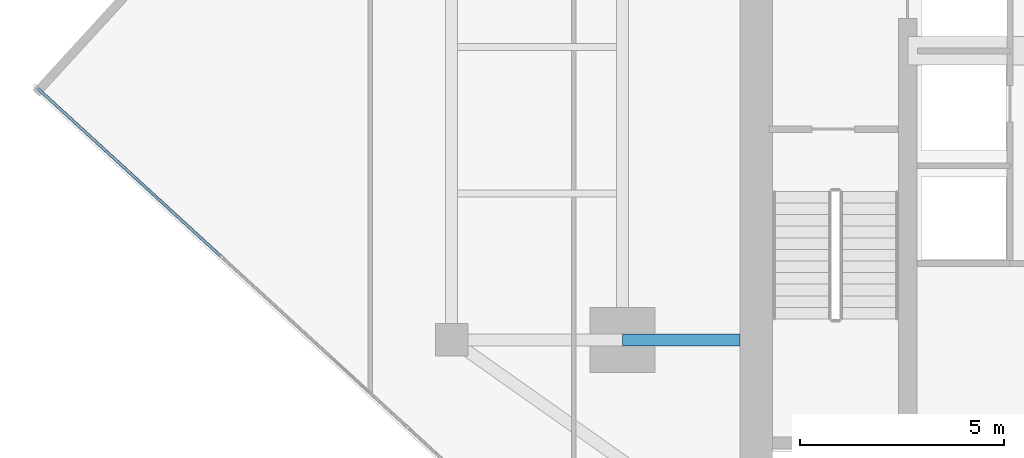
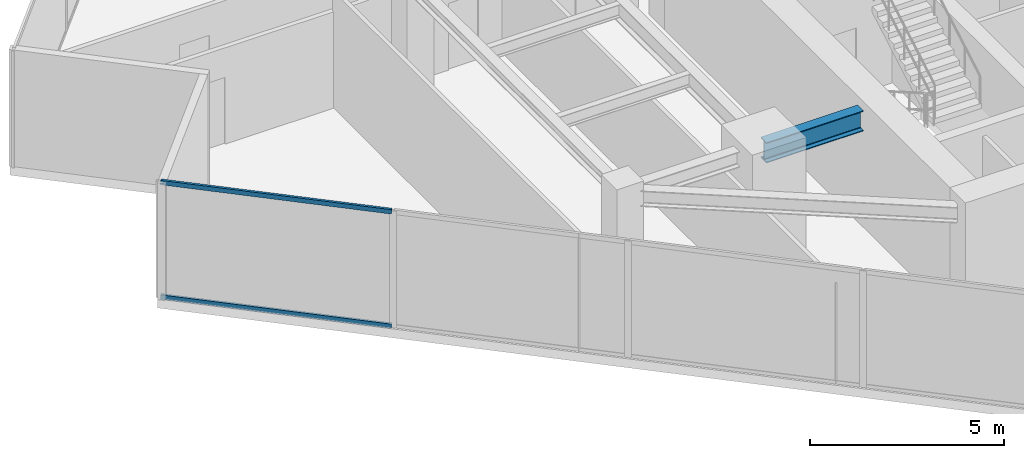
# One storey, part 5 of 26: 2 members, 1 beam, 1 element without a shape of its own.
"""IFC4 building model written with IfcOpenShell, lengths in metres."""

from ifc_helpers import new_model, si_unit, direction, frame, origin, origin_2d, place, context, subcontext, project, spatial, hollow_rectangle, i_section, extrude, source, transform, mapped, material, material_profile, profile_set, type_object, type_shapes, element, aggregate, save


model = new_model("IFC4")

# Units and contexts
model_context = context("Model", 3, precision=1e-05, world=origin(), true_north=direction((0.0, 1.0)))
body_context = subcontext(model_context, "Body", "Model", "MODEL_VIEW")
ifc_project = project(units=[si_unit("LENGTHUNIT", "METRE"), si_unit("AREAUNIT", "SQUARE_METRE"), si_unit("VOLUMEUNIT", "CUBIC_METRE"), si_unit("PLANEANGLEUNIT", "RADIAN"), si_unit("MASSUNIT", "GRAM", prefix="KILO")], contexts=[model_context])

# Site, building, storey
site_placement = place(None, origin())
site = spatial("IfcSite", under=ifc_project, at=site_placement, CompositionType="ELEMENT")
building_placement = place(site_placement, origin())
building = spatial("IfcBuilding", under=site, at=building_placement, Name="Krantzveldt Concourse Tower", CompositionType="ELEMENT")
storey_placement = place(building_placement, frame((0.0, 0.0, 227.050048828125)))
storey = spatial("IfcBuildingStorey", under=building, at=storey_placement, Name="L55", CompositionType="ELEMENT", Elevation=227.050048828125)

# Beam
ifc_material_1 = material(Name="Steel S355JR", Category="steel")
ifc_material_profile_1 = material_profile(ifc_material_1, i_section(OverallWidth=0.300048828125, OverallDepth=0.639892578125, WebThickness=0.013427734375, FlangeThickness=0.02587890625, FilletRadius=0.027099609375, at=origin_2d()), Name="Steel S355JR", Category="steel")
ifc_profile_set_1 = profile_set([ifc_material_profile_1], Name="Steel S355JR - HEA 650")
beam_type = type_object("IfcBeamType", Name="BM-B-HEA650", PredefinedType="BEAM", material=ifc_profile_set_1)
shared_shape_1 = source(origin(), body_context, "Body", "SweptSolid", [
    extrude(i_section(OverallWidth=0.300048828125, OverallDepth=0.639892578125, WebThickness=0.013427734375, FlangeThickness=0.02587890625, FilletRadius=0.027099609375, at=origin_2d()), origin(), (0.0, 0.0, 1.0), 2.880126953125),
])
type_shapes(beam_type, [shared_shape_1])
beam_placement = place(storey_placement, frame((25.199951171875, 15.89990234375, 3.349853515625), z_axis=(1.0, 0.0, 0.0), x_axis=(0.0, 1.0, 0.0)))
element("IfcBeam", 1, at=beam_placement, inside=storey, type_object=beam_type, Name="L55 Tower Girder BG-CW1", PredefinedType="BEAM", context=body_context, shape_type="MappedRepresentation", body=[
    mapped(shared_shape_1, transform((0.0, 0.0, 0.0), x_axis=(1.0, 0.0, 0.0), y_axis=(0.0, 1.0, 0.0), z_axis=(0.0, 0.0, 1.0), scale=1.0)),
])

# Curtain wall, members
ifc_material_2 = material(Name="Anodised aluminium 6063-T6", Category="aluminium")
curtain_wall_type = type_object("IfcCurtainWallType", Name="CW3", PredefinedType="USERDEFINED", material=ifc_material_2)
curtain_wall_placement = place(storey_placement, origin())
curtain_wall = element("IfcCurtainWall", 2, at=curtain_wall_placement, inside=storey, type_object=curtain_wall_type, Name="CW-L55-F04", ObjectType="UNITISED CURTAIN WALL", PredefinedType="USERDEFINED")
ifc_material_profile_2 = material_profile(ifc_material_2, hollow_rectangle(XDim=0.070068359375, YDim=0.139892578125, WallThickness=0.0048828125, at=origin_2d()), Name="Anodised aluminium 6063-T6", Category="aluminium")
ifc_profile_set_2 = profile_set([ifc_material_profile_2], Name="Anodised aluminium 6063-T6 - ALU-TRAN 140x70x5")
member_type = type_object("IfcMemberType", Name="CW-TRN-150", PredefinedType="USERDEFINED", material=ifc_profile_set_2)
shared_shape_2 = source(origin(), body_context, "Body", "SweptSolid", [
    extrude(hollow_rectangle(XDim=0.070068359375, YDim=0.139892578125, WallThickness=0.0048828125, at=origin_2d()), origin(), (0.0, 0.0, 1.0), 6.094970703125),
])
type_shapes(member_type, [shared_shape_2])
member_1_placement = place(storey_placement, frame((10.8349609375, 22.076416015625, 0.034912109375), z_axis=(0.737277168993, -0.675590390755, 0.0), x_axis=(0.675590390755, 0.737277168993, 0.0)))
member_1 = element("IfcMember", 3, at=member_1_placement, type_object=member_type, Name="CW-Z34 transom 1.1", ObjectType="TRANSOM", PredefinedType="USERDEFINED", context=body_context, shape_type="MappedRepresentation", body=[
    mapped(shared_shape_2, transform((0.0, 0.0, 0.0), x_axis=(1.0, 0.0, 0.0), y_axis=(0.0, 1.0, 0.0), z_axis=(0.0, 0.0, 1.0), scale=1.0)),
])
member_2_placement = place(storey_placement, frame((10.8349609375, 22.076416015625, 3.635009765625), z_axis=(0.737277168993, -0.675590390755, 0.0), x_axis=(0.675590390755, 0.737277168993, 0.0)))
member_2 = element("IfcMember", 4, at=member_2_placement, type_object=member_type, Name="CW-Z34 transom 1.2", ObjectType="TRANSOM", PredefinedType="USERDEFINED", context=body_context, shape_type="MappedRepresentation", body=[
    mapped(shared_shape_2, transform((0.0, 0.0, 0.0), x_axis=(1.0, 0.0, 0.0), y_axis=(0.0, 1.0, 0.0), z_axis=(0.0, 0.0, 1.0), scale=1.0)),
])
aggregate(curtain_wall, [member_1, member_2])

save(model, "model.ifc")
